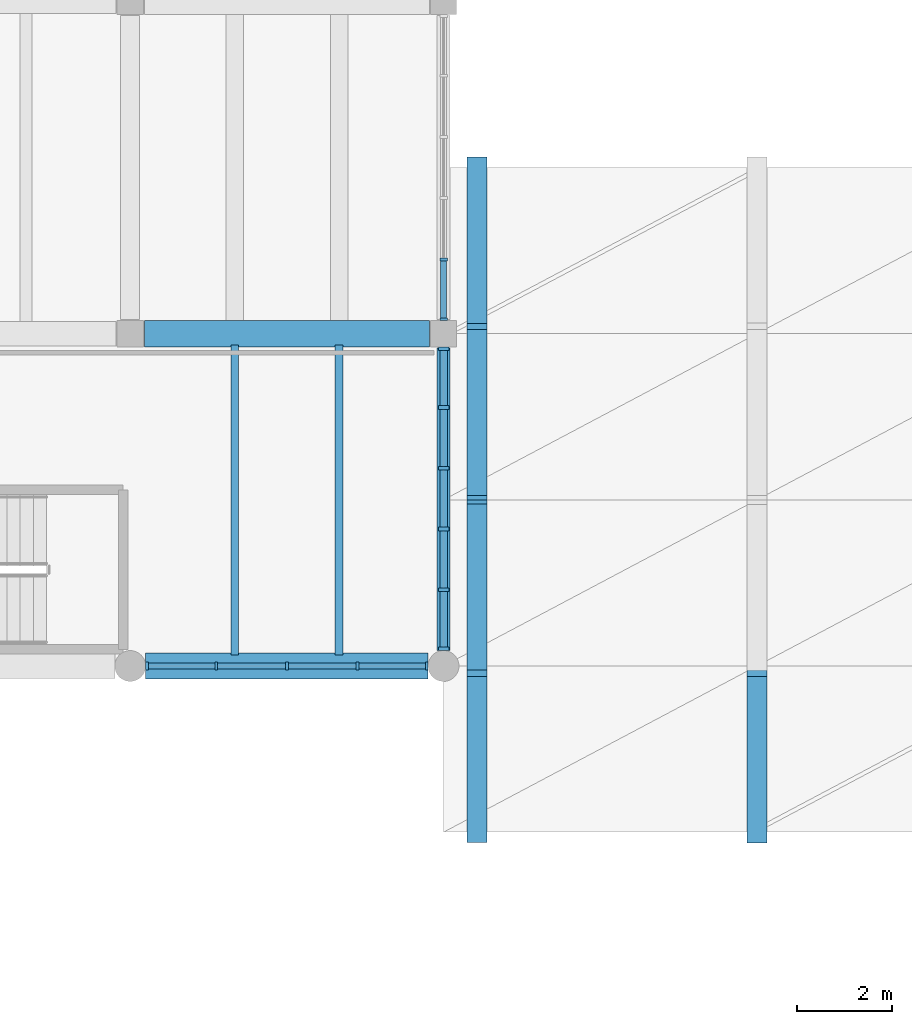
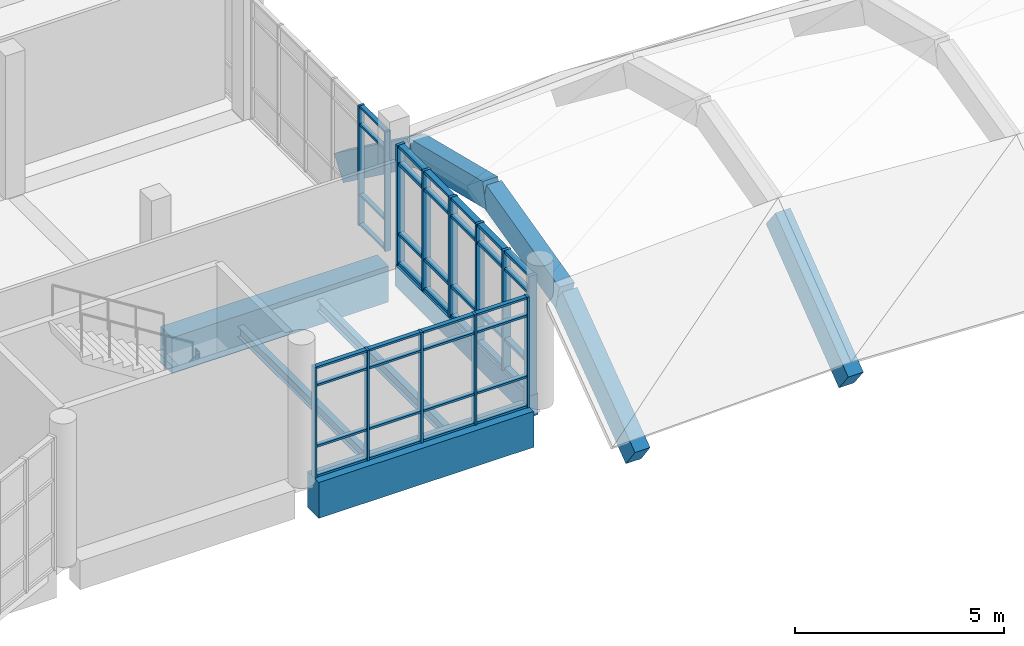
# One storey, part 13 of 65: 53 members, 10 beams, 3 elements without a shape of their own.
"""IFC4 building model written with IfcOpenShell, lengths in metres."""

import ifcopenshell
import ifcopenshell.guid

model = None  # the IFC model being written
_history = None  # IfcOwnerHistory: only IFC2X3 demands one
_inside = {}  # id of a spatial element -> (the spatial element, [elements in it])
_under = {}  # id of a project, library or spatial element -> (it, [spatial elements below it])
_declared = {}  # id of a project -> (the project, [libraries it declares])
_typed = {}  # id of a type object -> (the type object, [elements of that type])
_made_of = {}  # id of a material, layer set ... -> (it, [elements and type objects made of it])


def new_model(schema):
    """Start an empty IFC model of exactly this schema.

    Asked for "IFC4X3", IfcOpenShell would pick the latest addendum, in which some entities
    have other attributes; the version numbers below select the first issue.
    IFC2X3 requires an IfcOwnerHistory on every rooted entity: one is made here for all.
    """
    global model, _history
    if schema == "IFC4X3":
        model = ifcopenshell.file(schema_version=(4, 3, 0, 0))
    else:
        model = ifcopenshell.file(schema=schema)
    _inside.clear()
    _under.clear()
    _declared.clear()
    _typed.clear()
    _made_of.clear()
    _history = None
    if model.schema == "IFC2X3":
        org = make("IfcOrganization", Name="unknown")
        user = make(
            "IfcPersonAndOrganization",
            ThePerson=make("IfcPerson", FamilyName="unknown"),
            TheOrganization=org,
        )
        app = make(
            "IfcApplication",
            ApplicationDeveloper=org,
            Version="unknown",
            ApplicationFullName="unknown",
            ApplicationIdentifier="unknown",
        )
        _history = make(
            "IfcOwnerHistory",
            OwningUser=user,
            OwningApplication=app,
            ChangeAction="ADDED",
            CreationDate=0,
        )
    return model


def make(cls, **values):
    """One entity of the class cls with the attributes given. An attribute that is None is left unset."""
    return model.create_entity(
        cls, **{name: value for name, value in values.items() if value is not None}
    )


def rooted(cls, **values):
    """An entity with a GlobalId (a new one), such as an element, a storey or a relation."""
    return make(cls, GlobalId=ifcopenshell.guid.new(), OwnerHistory=_history, **values)


def si_unit(unit_type, name, prefix=None):
    """IfcSIUnit, for example si_unit("LENGTHUNIT", "METRE", prefix="MILLI")."""
    return make("IfcSIUnit", UnitType=unit_type, Prefix=prefix, Name=name)


def assignment(units):
    """IfcUnitAssignment: the units of a project."""
    return None if units is None else make("IfcUnitAssignment", Units=units)


def point(xyz):
    """IfcCartesianPoint."""
    return None if xyz is None else make("IfcCartesianPoint", Coordinates=xyz)


def direction(xyz):
    """IfcDirection."""
    return None if xyz is None else make("IfcDirection", DirectionRatios=xyz)


def frame(location, z_axis=None, x_axis=None):
    """IfcAxis2Placement3D, a coordinate frame: its origin and axes. An axis left out is left unset."""
    return make(
        "IfcAxis2Placement3D",
        Location=point(location),
        Axis=direction(z_axis),
        RefDirection=direction(x_axis),
    )


def frame_2d(location, x_axis=None):
    """IfcAxis2Placement2D, a coordinate frame in the plane: its origin and x axis."""
    return make(
        "IfcAxis2Placement2D", Location=point(location), RefDirection=direction(x_axis)
    )


def origin():
    """The frame at (0, 0, 0) with its axes left unset."""
    return frame((0.0, 0.0, 0.0))


def origin_2d():
    """The frame at (0, 0) in the plane with its x axis left unset."""
    return frame_2d((0.0, 0.0))


def place(relative_to, where):
    """IfcLocalPlacement: puts the frame where relative to a parent placement (None: the world)."""
    return make(
        "IfcLocalPlacement", PlacementRelTo=relative_to, RelativePlacement=where
    )


def context(
    kind, dimensions, precision=None, world=None, true_north=None, identifier=None
):
    """IfcGeometricRepresentationContext, for example the 3D "Model" context."""
    return make(
        "IfcGeometricRepresentationContext",
        ContextIdentifier=identifier,
        ContextType=kind,
        CoordinateSpaceDimension=dimensions,
        Precision=precision,
        WorldCoordinateSystem=world,
        TrueNorth=true_north,
    )


def subcontext(parent, identifier, kind, view, scale=None):
    """IfcGeometricRepresentationSubContext, for example "Body" below "Model"."""
    return make(
        "IfcGeometricRepresentationSubContext",
        ContextIdentifier=identifier,
        ContextType=kind,
        ParentContext=parent,
        TargetScale=scale,
        TargetView=view,
    )


def project(units=None, contexts=None):
    """IfcProject with its units and contexts."""
    return rooted(
        "IfcProject",
        Name="project",
        RepresentationContexts=contexts,
        UnitsInContext=assignment(units),
    )


def spatial(cls, under=None, at=None, **own):
    """A site, building, storey or space (cls), placed at a placement, below another one or the project."""
    s = rooted(cls, ObjectPlacement=at, **own)
    if under is not None:
        _under.setdefault(under.id(), (under, []))[1].append(s)
    return s


def profile(cls, at=None, kind="AREA", **sizes):
    """A parametric profile (cls). Its sizes go by their IFC names, for example OverallWidth=200.0."""
    return make(cls, ProfileType=kind, Position=at, **sizes)


def rectangle(**sizes):
    """IfcRectangleProfileDef."""
    return profile("IfcRectangleProfileDef", **sizes)


def i_section(**sizes):
    """IfcIShapeProfileDef."""
    return profile("IfcIShapeProfileDef", **sizes)


def extrude(swept, where, along, depth):
    """IfcExtrudedAreaSolid: the profile swept, set in the frame where, extruded along a direction by depth."""
    return make(
        "IfcExtrudedAreaSolid",
        SweptArea=swept,
        Position=where,
        ExtrudedDirection=direction(along),
        Depth=depth,
    )


def shape(context_of_items, identifier, shape_type, items):
    """IfcShapeRepresentation: the items that make up one representation, for example the "Body"."""
    return make(
        "IfcShapeRepresentation",
        ContextOfItems=context_of_items,
        RepresentationIdentifier=identifier,
        RepresentationType=shape_type,
        Items=items,
    )


def material(Name=None, Category=None):
    """IfcMaterial."""
    return make("IfcMaterial", Name=Name, Category=Category)


def material_profile(
    of_material, cross_section, Name=None, Category=None, Priority=None
):
    """IfcMaterialProfile: a cross section and its material."""
    return make(
        "IfcMaterialProfile",
        Name=Name,
        Material=of_material,
        Profile=cross_section,
        Priority=Priority,
        Category=Category,
    )


def profile_set(profiles, Name=None, composite=None):
    """IfcMaterialProfileSet."""
    return make(
        "IfcMaterialProfileSet",
        Name=Name,
        MaterialProfiles=profiles,
        CompositeProfile=composite,
    )


def made_of(thing, what):
    """Note that an element or type object is made of a material, layer set ...; save() writes the relation."""
    if what is not None:
        _made_of.setdefault(what.id(), (what, []))[1].append(thing)
    return thing


def type_object(cls, material=None, **own):
    """A type object (cls), such as IfcWallType, which elements share."""
    return made_of(rooted(cls, **own), material)


def element(
    cls,
    number,
    at=None,
    inside=None,
    cuts=None,
    type_object=None,
    material=None,
    context=None,
    identifier="Body",
    shape_type=None,
    held_by="IfcProductDefinitionShape",
    body=None,
    shapes=None,
    **own,
):
    """One element of the class cls, such as IfcWall. Its Tag is "e" and its number.

    at: its placement. inside: the storey or other place that contains it. cuts: it is an
    opening in that element (IfcRelVoidsElement). A single representation is given by context,
    identifier, shape_type and body (its items); several are given by shapes. held_by: the class
    of the entity that holds the representations. save() writes the other relations.
    """
    e = rooted(cls, Tag="e%d" % number, ObjectPlacement=at, **own)
    if body is not None:
        shapes = [shape(context, identifier, shape_type, body)]
    if shapes is not None:
        e.Representation = make(held_by, Representations=shapes)
    if inside is not None:
        _inside.setdefault(inside.id(), (inside, []))[1].append(e)
    if cuts is not None:
        rooted(
            "IfcRelVoidsElement", RelatingBuildingElement=cuts, RelatedOpeningElement=e
        )
    if type_object is not None:
        _typed.setdefault(type_object.id(), (type_object, []))[1].append(e)
    return made_of(e, material)


def aggregate(whole, parts):
    """IfcRelAggregates: a whole, such as a stair, and the parts it consists of."""
    return rooted("IfcRelAggregates", RelatingObject=whole, RelatedObjects=parts)


def save(model, path):
    """Write the relations noted so far, then the file.

    IfcRelAggregates (storeys below a building ...), IfcRelContainedInSpatialStructure (elements
    in a storey), IfcRelDefinesByType, IfcRelAssociatesMaterial and IfcRelDeclares: one each for
    every whole, place, type object, material and project.
    """
    for whole, parts in _under.values():
        aggregate(whole, parts)
    for where, things in _inside.values():
        rooted(
            "IfcRelContainedInSpatialStructure",
            RelatedElements=things,
            RelatingStructure=where,
        )
    for kind, things in _typed.values():
        rooted("IfcRelDefinesByType", RelatedObjects=things, RelatingType=kind)
    for what, things in _made_of.values():
        rooted("IfcRelAssociatesMaterial", RelatedObjects=things, RelatingMaterial=what)
    for by, libraries in _declared.values():
        rooted("IfcRelDeclares", RelatingContext=by, RelatedDefinitions=libraries)
    model.write(path)


model = new_model("IFC4")

# Units and contexts
model_context = context("Model", 3, precision=1e-05, world=origin(), true_north=direction((0.0, 1.0)))
body_context = subcontext(model_context, "Body", "Model", "MODEL_VIEW")
ifc_project = project(units=[si_unit("LENGTHUNIT", "METRE"), si_unit("AREAUNIT", "SQUARE_METRE"), si_unit("VOLUMEUNIT", "CUBIC_METRE"), si_unit("PLANEANGLEUNIT", "RADIAN"), si_unit("MASSUNIT", "GRAM", prefix="KILO")], contexts=[model_context])

# Site, building, storey
site_placement = place(None, origin())
site = spatial("IfcSite", under=ifc_project, at=site_placement, CompositionType="ELEMENT")
building_placement = place(site_placement, origin())
building = spatial("IfcBuilding", under=site, at=building_placement, Name="Ciguamira Faculty of Natural Sciences", CompositionType="ELEMENT")
storey_placement = place(building_placement, frame((0.0, 0.0, 12.60009765625)))
storey = spatial("IfcBuildingStorey", under=building, at=storey_placement, Name="L03", CompositionType="ELEMENT", Elevation=12.60009765625)

# Curtain wall, members
ifc_material_1 = material(Name="Anodized aluminium curtain wall", Category="aluminium")
curtain_wall_type_1 = type_object("IfcCurtainWallType", Name="CurtainWall_CW-10", PredefinedType="USERDEFINED", material=ifc_material_1)
curtain_wall_1_placement = place(storey_placement, origin())
curtain_wall_1 = element("IfcCurtainWall", 1, at=curtain_wall_1_placement, inside=storey, type_object=curtain_wall_type_1, Name="L03 unitised curtain wall 0082", ObjectType="UNITISED CURTAIN WALL", PredefinedType="USERDEFINED")
ifc_material_2 = material(Name="Anodized aluminium mullion", Category="aluminium")
ifc_material_profile_1 = material_profile(ifc_material_2, rectangle(XDim=0.06005859375, YDim=0.159912109375, at=origin_2d()), Name="ALU-MUL-60X160")
ifc_profile_set_1 = profile_set([ifc_material_profile_1], Name="Anodized aluminium mullion")
member_type_1 = type_object("IfcMemberType", Name="CWMullion_CWM-01", PredefinedType="MULLION", material=ifc_profile_set_1)
member_1_placement = place(storey_placement, frame((117.054931640625, 10.0, 0.0), z_axis=(0.0, 0.0, 1.0), x_axis=(1.0, 0.0, 0.0)))
member_1 = element("IfcMember", 2, at=member_1_placement, type_object=member_type_1, Name="CW-10 mullion 1", PredefinedType="MULLION", context=body_context, shape_type="SweptSolid", body=[
    extrude(rectangle(XDim=0.06005859375, YDim=0.159912109375, at=origin_2d()), origin(), (0.0, 0.0, 1.0), 3.23486328125),
])
member_2_placement = place(storey_placement, frame((118.512451171875, 10.0, 0.0), z_axis=(0.0, 0.0, 1.0), x_axis=(1.0, 0.0, 0.0)))
member_2 = element("IfcMember", 3, at=member_2_placement, type_object=member_type_1, Name="CW-10 mullion 2", PredefinedType="MULLION", context=body_context, shape_type="SweptSolid", body=[
    extrude(rectangle(XDim=0.06005859375, YDim=0.159912109375, at=origin_2d()), origin(), (0.0, 0.0, 1.0), 3.23486328125),
])
member_3_placement = place(storey_placement, frame((120.0, 10.0, 0.0), z_axis=(0.0, 0.0, 1.0), x_axis=(1.0, 0.0, 0.0)))
member_3 = element("IfcMember", 4, at=member_3_placement, type_object=member_type_1, Name="CW-10 mullion 3", PredefinedType="MULLION", context=body_context, shape_type="SweptSolid", body=[
    extrude(rectangle(XDim=0.06005859375, YDim=0.159912109375, at=origin_2d()), origin(), (0.0, 0.0, 1.0), 3.23486328125),
])
member_4_placement = place(storey_placement, frame((121.487548828125, 10.0, 0.0), z_axis=(0.0, 0.0, 1.0), x_axis=(1.0, 0.0, 0.0)))
member_4 = element("IfcMember", 5, at=member_4_placement, type_object=member_type_1, Name="CW-10 mullion 4", PredefinedType="MULLION", context=body_context, shape_type="SweptSolid", body=[
    extrude(rectangle(XDim=0.06005859375, YDim=0.159912109375, at=origin_2d()), origin(), (0.0, 0.0, 1.0), 3.23486328125),
])
member_5_placement = place(storey_placement, frame((122.945068359375, 10.0, 0.0), z_axis=(0.0, 0.0, 1.0), x_axis=(1.0, 0.0, 0.0)))
member_5 = element("IfcMember", 6, at=member_5_placement, type_object=member_type_1, Name="CW-10 mullion 5", PredefinedType="MULLION", context=body_context, shape_type="SweptSolid", body=[
    extrude(rectangle(XDim=0.06005859375, YDim=0.159912109375, at=origin_2d()), origin(), (0.0, 0.0, 1.0), 3.23486328125),
])

curtain_wall_type_2 = type_object("IfcCurtainWallType", Name="CurtainWall_CW-07", PredefinedType="USERDEFINED", material=ifc_material_1)
curtain_wall_2_placement = place(storey_placement, origin())
curtain_wall_2 = element("IfcCurtainWall", 7, at=curtain_wall_2_placement, inside=storey, type_object=curtain_wall_type_2, Name="L03 unitised curtain wall 0103", ObjectType="UNITISED CURTAIN WALL", PredefinedType="USERDEFINED")
member_6_placement = place(storey_placement, frame((123.300048828125, 17.304931640625, 0.0), z_axis=(0.0, 0.0, 1.0), x_axis=(0.0, 1.0, 0.0)))
member_6 = element("IfcMember", 8, at=member_6_placement, type_object=member_type_1, Name="CW-07 mullion 1", PredefinedType="MULLION", context=body_context, shape_type="SweptSolid", body=[
    extrude(rectangle(XDim=0.06005859375, YDim=0.159912109375, at=origin_2d()), origin(), (0.0, 0.0, 1.0), 3.5048828125),
])
member_7_placement = place(storey_placement, frame((123.300048828125, 18.56494140625, 0.0), z_axis=(0.0, 0.0, 1.0), x_axis=(0.0, 1.0, 0.0)))
member_7 = element("IfcMember", 9, at=member_7_placement, type_object=member_type_1, Name="CW-07 mullion 2", PredefinedType="MULLION", context=body_context, shape_type="SweptSolid", body=[
    extrude(rectangle(XDim=0.06005859375, YDim=0.159912109375, at=origin_2d()), origin(), (0.0, 0.0, 1.0), 3.5048828125),
])

curtain_wall_type_3 = type_object("IfcCurtainWallType", Name="CurtainWall_CW-06", PredefinedType="USERDEFINED", material=ifc_material_1)
curtain_wall_3_placement = place(storey_placement, origin())
curtain_wall_3 = element("IfcCurtainWall", 10, at=curtain_wall_3_placement, inside=storey, type_object=curtain_wall_type_3, Name="L03 unitised curtain wall 0102", ObjectType="UNITISED CURTAIN WALL", PredefinedType="USERDEFINED")
ifc_material_profile_2 = material_profile(ifc_material_2, rectangle(XDim=0.080078125, YDim=0.219970703125, at=origin_2d()), Name="ALU-MUL-80X220")
ifc_profile_set_2 = profile_set([ifc_material_profile_2], Name="Anodized aluminium mullion")
member_type_2 = type_object("IfcMemberType", Name="CWMullion_CWM-03", PredefinedType="MULLION", material=ifc_profile_set_2)
member_8_placement = place(storey_placement, frame((123.300048828125, 10.364990234375, 0.0), z_axis=(0.0, 0.0, 1.0), x_axis=(0.0, 1.0, 0.0)))
member_8 = element("IfcMember", 11, at=member_8_placement, type_object=member_type_2, Name="CW-06 mullion 1", PredefinedType="MULLION", context=body_context, shape_type="SweptSolid", body=[
    extrude(rectangle(XDim=0.080078125, YDim=0.219970703125, at=origin_2d()), origin(), (0.0, 0.0, 1.0), 3.5048828125),
])
member_9_placement = place(storey_placement, frame((123.300048828125, 11.60498046875, 0.0), z_axis=(0.0, 0.0, 1.0), x_axis=(0.0, 1.0, 0.0)))
member_9 = element("IfcMember", 12, at=member_9_placement, type_object=member_type_2, Name="CW-06 mullion 2", PredefinedType="MULLION", context=body_context, shape_type="SweptSolid", body=[
    extrude(rectangle(XDim=0.080078125, YDim=0.219970703125, at=origin_2d()), origin(), (0.0, 0.0, 1.0), 3.5048828125),
])
member_10_placement = place(storey_placement, frame((123.300048828125, 12.885009765625, 0.0), z_axis=(0.0, 0.0, 1.0), x_axis=(0.0, 1.0, 0.0)))
member_10 = element("IfcMember", 13, at=member_10_placement, type_object=member_type_2, Name="CW-06 mullion 3", PredefinedType="MULLION", context=body_context, shape_type="SweptSolid", body=[
    extrude(rectangle(XDim=0.080078125, YDim=0.219970703125, at=origin_2d()), origin(), (0.0, 0.0, 1.0), 3.5048828125),
])
member_11_placement = place(storey_placement, frame((123.300048828125, 14.1650390625, 0.0), z_axis=(0.0, 0.0, 1.0), x_axis=(0.0, 1.0, 0.0)))
member_11 = element("IfcMember", 14, at=member_11_placement, type_object=member_type_2, Name="CW-06 mullion 4", PredefinedType="MULLION", context=body_context, shape_type="SweptSolid", body=[
    extrude(rectangle(XDim=0.080078125, YDim=0.219970703125, at=origin_2d()), origin(), (0.0, 0.0, 1.0), 3.5048828125),
])
member_12_placement = place(storey_placement, frame((123.300048828125, 15.445068359375, 0.0), z_axis=(0.0, 0.0, 1.0), x_axis=(0.0, 1.0, 0.0)))
member_12 = element("IfcMember", 15, at=member_12_placement, type_object=member_type_2, Name="CW-06 mullion 5", PredefinedType="MULLION", context=body_context, shape_type="SweptSolid", body=[
    extrude(rectangle(XDim=0.080078125, YDim=0.219970703125, at=origin_2d()), origin(), (0.0, 0.0, 1.0), 3.5048828125),
])
member_13_placement = place(storey_placement, frame((123.300048828125, 16.68505859375, 0.0), z_axis=(0.0, 0.0, 1.0), x_axis=(0.0, 1.0, 0.0)))
member_13 = element("IfcMember", 16, at=member_13_placement, type_object=member_type_2, Name="CW-06 mullion 6", PredefinedType="MULLION", context=body_context, shape_type="SweptSolid", body=[
    extrude(rectangle(XDim=0.080078125, YDim=0.219970703125, at=origin_2d()), origin(), (0.0, 0.0, 1.0), 3.5048828125),
])

# Member
ifc_material_3 = material(Name="Anodized aluminium transom", Category="aluminium")
ifc_material_profile_3 = material_profile(ifc_material_3, rectangle(XDim=0.06005859375, YDim=0.1201171875, at=origin_2d()), Name="ALU-TRN-60X120")
ifc_profile_set_3 = profile_set([ifc_material_profile_3], Name="Anodized aluminium transom")
member_type_3 = type_object("IfcMemberType", Name="CWTransom_CWT-01", PredefinedType="USERDEFINED", material=ifc_profile_set_3)
member_14_placement = place(storey_placement, frame((117.0849609375, 10.0, 0.02978515625), z_axis=(1.0, 0.0, 0.0), x_axis=(0.0, 0.0, 1.0)))
member_14 = element("IfcMember", 17, at=member_14_placement, type_object=member_type_3, Name="CW-10 transom 1.1", ObjectType="TRANSOM", PredefinedType="USERDEFINED", context=body_context, shape_type="SweptSolid", body=[
    extrude(rectangle(XDim=0.06005859375, YDim=0.1201171875, at=origin_2d()), origin(), (0.0, 0.0, 1.0), 1.3974609375),
])

member_15_placement = place(storey_placement, frame((117.0849609375, 10.0, 0.89990234375), z_axis=(1.0, 0.0, 0.0), x_axis=(0.0, 0.0, 1.0)))
member_15 = element("IfcMember", 18, at=member_15_placement, type_object=member_type_3, Name="CW-10 transom 1.2", ObjectType="TRANSOM", PredefinedType="USERDEFINED", context=body_context, shape_type="SweptSolid", body=[
    extrude(rectangle(XDim=0.06005859375, YDim=0.1201171875, at=origin_2d()), origin(), (0.0, 0.0, 1.0), 1.3974609375),
])

member_16_placement = place(storey_placement, frame((117.0849609375, 10.0, 2.684814453125), z_axis=(1.0, 0.0, 0.0), x_axis=(0.0, 0.0, 1.0)))
member_16 = element("IfcMember", 19, at=member_16_placement, type_object=member_type_3, Name="CW-10 transom 1.3", ObjectType="TRANSOM", PredefinedType="USERDEFINED", context=body_context, shape_type="SweptSolid", body=[
    extrude(rectangle(XDim=0.06005859375, YDim=0.1201171875, at=origin_2d()), origin(), (0.0, 0.0, 1.0), 1.3974609375),
])

member_17_placement = place(storey_placement, frame((117.0849609375, 10.0, 3.204833984375), z_axis=(1.0, 0.0, 0.0), x_axis=(0.0, 0.0, 1.0)))
member_17 = element("IfcMember", 20, at=member_17_placement, type_object=member_type_3, Name="CW-10 transom 1.4", ObjectType="TRANSOM", PredefinedType="USERDEFINED", context=body_context, shape_type="SweptSolid", body=[
    extrude(rectangle(XDim=0.06005859375, YDim=0.1201171875, at=origin_2d()), origin(), (0.0, 0.0, 1.0), 1.3974609375),
])

member_18_placement = place(storey_placement, frame((118.54248046875, 10.0, 0.02978515625), z_axis=(1.0, 0.0, 0.0), x_axis=(0.0, 0.0, 1.0)))
member_18 = element("IfcMember", 21, at=member_18_placement, type_object=member_type_3, Name="CW-10 transom 2.1", ObjectType="TRANSOM", PredefinedType="USERDEFINED", context=body_context, shape_type="SweptSolid", body=[
    extrude(rectangle(XDim=0.06005859375, YDim=0.1201171875, at=origin_2d()), origin(), (0.0, 0.0, 1.0), 1.427490234375),
])

member_19_placement = place(storey_placement, frame((118.54248046875, 10.0, 0.89990234375), z_axis=(1.0, 0.0, 0.0), x_axis=(0.0, 0.0, 1.0)))
member_19 = element("IfcMember", 22, at=member_19_placement, type_object=member_type_3, Name="CW-10 transom 2.2", ObjectType="TRANSOM", PredefinedType="USERDEFINED", context=body_context, shape_type="SweptSolid", body=[
    extrude(rectangle(XDim=0.06005859375, YDim=0.1201171875, at=origin_2d()), origin(), (0.0, 0.0, 1.0), 1.427490234375),
])

member_20_placement = place(storey_placement, frame((118.54248046875, 10.0, 2.684814453125), z_axis=(1.0, 0.0, 0.0), x_axis=(0.0, 0.0, 1.0)))
member_20 = element("IfcMember", 23, at=member_20_placement, type_object=member_type_3, Name="CW-10 transom 2.3", ObjectType="TRANSOM", PredefinedType="USERDEFINED", context=body_context, shape_type="SweptSolid", body=[
    extrude(rectangle(XDim=0.06005859375, YDim=0.1201171875, at=origin_2d()), origin(), (0.0, 0.0, 1.0), 1.427490234375),
])

member_21_placement = place(storey_placement, frame((118.54248046875, 10.0, 3.204833984375), z_axis=(1.0, 0.0, 0.0), x_axis=(0.0, 0.0, 1.0)))
member_21 = element("IfcMember", 24, at=member_21_placement, type_object=member_type_3, Name="CW-10 transom 2.4", ObjectType="TRANSOM", PredefinedType="USERDEFINED", context=body_context, shape_type="SweptSolid", body=[
    extrude(rectangle(XDim=0.06005859375, YDim=0.1201171875, at=origin_2d()), origin(), (0.0, 0.0, 1.0), 1.427490234375),
])

member_22_placement = place(storey_placement, frame((120.030029296875, 10.0, 0.02978515625), z_axis=(1.0, 0.0, 0.0), x_axis=(0.0, 0.0, 1.0)))
member_22 = element("IfcMember", 25, at=member_22_placement, type_object=member_type_3, Name="CW-10 transom 3.1", ObjectType="TRANSOM", PredefinedType="USERDEFINED", context=body_context, shape_type="SweptSolid", body=[
    extrude(rectangle(XDim=0.06005859375, YDim=0.1201171875, at=origin_2d()), origin(), (0.0, 0.0, 1.0), 1.427490234375),
])

member_23_placement = place(storey_placement, frame((120.030029296875, 10.0, 0.89990234375), z_axis=(1.0, 0.0, 0.0), x_axis=(0.0, 0.0, 1.0)))
member_23 = element("IfcMember", 26, at=member_23_placement, type_object=member_type_3, Name="CW-10 transom 3.2", ObjectType="TRANSOM", PredefinedType="USERDEFINED", context=body_context, shape_type="SweptSolid", body=[
    extrude(rectangle(XDim=0.06005859375, YDim=0.1201171875, at=origin_2d()), origin(), (0.0, 0.0, 1.0), 1.427490234375),
])

member_24_placement = place(storey_placement, frame((120.030029296875, 10.0, 2.684814453125), z_axis=(1.0, 0.0, 0.0), x_axis=(0.0, 0.0, 1.0)))
member_24 = element("IfcMember", 27, at=member_24_placement, type_object=member_type_3, Name="CW-10 transom 3.3", ObjectType="TRANSOM", PredefinedType="USERDEFINED", context=body_context, shape_type="SweptSolid", body=[
    extrude(rectangle(XDim=0.06005859375, YDim=0.1201171875, at=origin_2d()), origin(), (0.0, 0.0, 1.0), 1.427490234375),
])

member_25_placement = place(storey_placement, frame((120.030029296875, 10.0, 3.204833984375), z_axis=(1.0, 0.0, 0.0), x_axis=(0.0, 0.0, 1.0)))
member_25 = element("IfcMember", 28, at=member_25_placement, type_object=member_type_3, Name="CW-10 transom 3.4", ObjectType="TRANSOM", PredefinedType="USERDEFINED", context=body_context, shape_type="SweptSolid", body=[
    extrude(rectangle(XDim=0.06005859375, YDim=0.1201171875, at=origin_2d()), origin(), (0.0, 0.0, 1.0), 1.427490234375),
])

member_26_placement = place(storey_placement, frame((121.517578125, 10.0, 0.02978515625), z_axis=(1.0, 0.0, 0.0), x_axis=(0.0, 0.0, 1.0)))
member_26 = element("IfcMember", 29, at=member_26_placement, type_object=member_type_3, Name="CW-10 transom 4.1", ObjectType="TRANSOM", PredefinedType="USERDEFINED", context=body_context, shape_type="SweptSolid", body=[
    extrude(rectangle(XDim=0.06005859375, YDim=0.1201171875, at=origin_2d()), origin(), (0.0, 0.0, 1.0), 1.3974609375),
])

member_27_placement = place(storey_placement, frame((121.517578125, 10.0, 0.89990234375), z_axis=(1.0, 0.0, 0.0), x_axis=(0.0, 0.0, 1.0)))
member_27 = element("IfcMember", 30, at=member_27_placement, type_object=member_type_3, Name="CW-10 transom 4.2", ObjectType="TRANSOM", PredefinedType="USERDEFINED", context=body_context, shape_type="SweptSolid", body=[
    extrude(rectangle(XDim=0.06005859375, YDim=0.1201171875, at=origin_2d()), origin(), (0.0, 0.0, 1.0), 1.3974609375),
])

member_28_placement = place(storey_placement, frame((121.517578125, 10.0, 2.684814453125), z_axis=(1.0, 0.0, 0.0), x_axis=(0.0, 0.0, 1.0)))
member_28 = element("IfcMember", 31, at=member_28_placement, type_object=member_type_3, Name="CW-10 transom 4.3", ObjectType="TRANSOM", PredefinedType="USERDEFINED", context=body_context, shape_type="SweptSolid", body=[
    extrude(rectangle(XDim=0.06005859375, YDim=0.1201171875, at=origin_2d()), origin(), (0.0, 0.0, 1.0), 1.3974609375),
])

member_29_placement = place(storey_placement, frame((121.517578125, 10.0, 3.204833984375), z_axis=(1.0, 0.0, 0.0), x_axis=(0.0, 0.0, 1.0)))
member_29 = element("IfcMember", 32, at=member_29_placement, type_object=member_type_3, Name="CW-10 transom 4.4", ObjectType="TRANSOM", PredefinedType="USERDEFINED", context=body_context, shape_type="SweptSolid", body=[
    extrude(rectangle(XDim=0.06005859375, YDim=0.1201171875, at=origin_2d()), origin(), (0.0, 0.0, 1.0), 1.3974609375),
])

aggregate(curtain_wall_1, [member_1, member_2, member_3, member_4, member_5, member_14, member_15, member_16, member_17, member_18, member_19, member_20, member_21, member_22, member_23, member_24, member_25, member_26, member_27, member_28, member_29])

member_30_placement = place(storey_placement, frame((123.300048828125, 17.3349609375, 0.02978515625), z_axis=(0.0, 1.0, 0.0), x_axis=(0.0, 0.0, 1.0)))
member_30 = element("IfcMember", 33, at=member_30_placement, type_object=member_type_3, Name="CW-07 transom 1.1", ObjectType="TRANSOM", PredefinedType="USERDEFINED", context=body_context, shape_type="SweptSolid", body=[
    extrude(rectangle(XDim=0.06005859375, YDim=0.1201171875, at=origin_2d()), origin(), (0.0, 0.0, 1.0), 1.199951171875),
])

member_31_placement = place(storey_placement, frame((123.300048828125, 17.3349609375, 0.89990234375), z_axis=(0.0, 1.0, 0.0), x_axis=(0.0, 0.0, 1.0)))
member_31 = element("IfcMember", 34, at=member_31_placement, type_object=member_type_3, Name="CW-07 transom 1.2", ObjectType="TRANSOM", PredefinedType="USERDEFINED", context=body_context, shape_type="SweptSolid", body=[
    extrude(rectangle(XDim=0.06005859375, YDim=0.1201171875, at=origin_2d()), origin(), (0.0, 0.0, 1.0), 1.199951171875),
])

member_32_placement = place(storey_placement, frame((123.300048828125, 17.3349609375, 2.954833984375), z_axis=(0.0, 1.0, 0.0), x_axis=(0.0, 0.0, 1.0)))
member_32 = element("IfcMember", 35, at=member_32_placement, type_object=member_type_3, Name="CW-07 transom 1.3", ObjectType="TRANSOM", PredefinedType="USERDEFINED", context=body_context, shape_type="SweptSolid", body=[
    extrude(rectangle(XDim=0.06005859375, YDim=0.1201171875, at=origin_2d()), origin(), (0.0, 0.0, 1.0), 1.199951171875),
])

member_33_placement = place(storey_placement, frame((123.300048828125, 17.3349609375, 3.474853515625), z_axis=(0.0, 1.0, 0.0), x_axis=(0.0, 0.0, 1.0)))
member_33 = element("IfcMember", 36, at=member_33_placement, type_object=member_type_3, Name="CW-07 transom 1.4", ObjectType="TRANSOM", PredefinedType="USERDEFINED", context=body_context, shape_type="SweptSolid", body=[
    extrude(rectangle(XDim=0.06005859375, YDim=0.1201171875, at=origin_2d()), origin(), (0.0, 0.0, 1.0), 1.199951171875),
])

aggregate(curtain_wall_2, [member_6, member_7, member_30, member_31, member_32, member_33])

ifc_material_profile_4 = material_profile(ifc_material_3, rectangle(XDim=0.080078125, YDim=0.159912109375, at=origin_2d()), Name="ALU-TRN-80X160")
ifc_profile_set_4 = profile_set([ifc_material_profile_4], Name="Anodized aluminium transom")
member_type_4 = type_object("IfcMemberType", Name="CWTransom_CWT-03", PredefinedType="USERDEFINED", material=ifc_profile_set_4)
member_34_placement = place(storey_placement, frame((123.300048828125, 10.405029296875, 0.039794921875), z_axis=(0.0, 1.0, 0.0), x_axis=(0.0, 0.0, 1.0)))
member_34 = element("IfcMember", 37, at=member_34_placement, type_object=member_type_4, Name="CW-06 transom 1.1", ObjectType="TRANSOM", PredefinedType="USERDEFINED", context=body_context, shape_type="SweptSolid", body=[
    extrude(rectangle(XDim=0.080078125, YDim=0.159912109375, at=origin_2d()), origin(), (0.0, 0.0, 1.0), 1.159912109375),
])

member_35_placement = place(storey_placement, frame((123.300048828125, 10.405029296875, 0.89990234375), z_axis=(0.0, 1.0, 0.0), x_axis=(0.0, 0.0, 1.0)))
member_35 = element("IfcMember", 38, at=member_35_placement, type_object=member_type_4, Name="CW-06 transom 1.2", ObjectType="TRANSOM", PredefinedType="USERDEFINED", context=body_context, shape_type="SweptSolid", body=[
    extrude(rectangle(XDim=0.080078125, YDim=0.159912109375, at=origin_2d()), origin(), (0.0, 0.0, 1.0), 1.159912109375),
])

member_36_placement = place(storey_placement, frame((123.300048828125, 10.405029296875, 2.954833984375), z_axis=(0.0, 1.0, 0.0), x_axis=(0.0, 0.0, 1.0)))
member_36 = element("IfcMember", 39, at=member_36_placement, type_object=member_type_4, Name="CW-06 transom 1.3", ObjectType="TRANSOM", PredefinedType="USERDEFINED", context=body_context, shape_type="SweptSolid", body=[
    extrude(rectangle(XDim=0.080078125, YDim=0.159912109375, at=origin_2d()), origin(), (0.0, 0.0, 1.0), 1.159912109375),
])

member_37_placement = place(storey_placement, frame((123.300048828125, 10.405029296875, 3.46484375), z_axis=(0.0, 1.0, 0.0), x_axis=(0.0, 0.0, 1.0)))
member_37 = element("IfcMember", 40, at=member_37_placement, type_object=member_type_4, Name="CW-06 transom 1.4", ObjectType="TRANSOM", PredefinedType="USERDEFINED", context=body_context, shape_type="SweptSolid", body=[
    extrude(rectangle(XDim=0.080078125, YDim=0.159912109375, at=origin_2d()), origin(), (0.0, 0.0, 1.0), 1.159912109375),
])

member_38_placement = place(storey_placement, frame((123.300048828125, 11.64501953125, 0.039794921875), z_axis=(0.0, 1.0, 0.0), x_axis=(0.0, 0.0, 1.0)))
member_38 = element("IfcMember", 41, at=member_38_placement, type_object=member_type_4, Name="CW-06 transom 2.1", ObjectType="TRANSOM", PredefinedType="USERDEFINED", context=body_context, shape_type="SweptSolid", body=[
    extrude(rectangle(XDim=0.080078125, YDim=0.159912109375, at=origin_2d()), origin(), (0.0, 0.0, 1.0), 1.199951171875),
])

member_39_placement = place(storey_placement, frame((123.300048828125, 11.64501953125, 0.89990234375), z_axis=(0.0, 1.0, 0.0), x_axis=(0.0, 0.0, 1.0)))
member_39 = element("IfcMember", 42, at=member_39_placement, type_object=member_type_4, Name="CW-06 transom 2.2", ObjectType="TRANSOM", PredefinedType="USERDEFINED", context=body_context, shape_type="SweptSolid", body=[
    extrude(rectangle(XDim=0.080078125, YDim=0.159912109375, at=origin_2d()), origin(), (0.0, 0.0, 1.0), 1.199951171875),
])

member_40_placement = place(storey_placement, frame((123.300048828125, 11.64501953125, 2.954833984375), z_axis=(0.0, 1.0, 0.0), x_axis=(0.0, 0.0, 1.0)))
member_40 = element("IfcMember", 43, at=member_40_placement, type_object=member_type_4, Name="CW-06 transom 2.3", ObjectType="TRANSOM", PredefinedType="USERDEFINED", context=body_context, shape_type="SweptSolid", body=[
    extrude(rectangle(XDim=0.080078125, YDim=0.159912109375, at=origin_2d()), origin(), (0.0, 0.0, 1.0), 1.199951171875),
])

member_41_placement = place(storey_placement, frame((123.300048828125, 11.64501953125, 3.46484375), z_axis=(0.0, 1.0, 0.0), x_axis=(0.0, 0.0, 1.0)))
member_41 = element("IfcMember", 44, at=member_41_placement, type_object=member_type_4, Name="CW-06 transom 2.4", ObjectType="TRANSOM", PredefinedType="USERDEFINED", context=body_context, shape_type="SweptSolid", body=[
    extrude(rectangle(XDim=0.080078125, YDim=0.159912109375, at=origin_2d()), origin(), (0.0, 0.0, 1.0), 1.199951171875),
])

member_42_placement = place(storey_placement, frame((123.300048828125, 12.925048828125, 0.039794921875), z_axis=(0.0, 1.0, 0.0), x_axis=(0.0, 0.0, 1.0)))
member_42 = element("IfcMember", 45, at=member_42_placement, type_object=member_type_4, Name="CW-06 transom 3.1", ObjectType="TRANSOM", PredefinedType="USERDEFINED", context=body_context, shape_type="SweptSolid", body=[
    extrude(rectangle(XDim=0.080078125, YDim=0.159912109375, at=origin_2d()), origin(), (0.0, 0.0, 1.0), 1.199951171875),
])

member_43_placement = place(storey_placement, frame((123.300048828125, 12.925048828125, 0.89990234375), z_axis=(0.0, 1.0, 0.0), x_axis=(0.0, 0.0, 1.0)))
member_43 = element("IfcMember", 46, at=member_43_placement, type_object=member_type_4, Name="CW-06 transom 3.2", ObjectType="TRANSOM", PredefinedType="USERDEFINED", context=body_context, shape_type="SweptSolid", body=[
    extrude(rectangle(XDim=0.080078125, YDim=0.159912109375, at=origin_2d()), origin(), (0.0, 0.0, 1.0), 1.199951171875),
])

member_44_placement = place(storey_placement, frame((123.300048828125, 12.925048828125, 2.954833984375), z_axis=(0.0, 1.0, 0.0), x_axis=(0.0, 0.0, 1.0)))
member_44 = element("IfcMember", 47, at=member_44_placement, type_object=member_type_4, Name="CW-06 transom 3.3", ObjectType="TRANSOM", PredefinedType="USERDEFINED", context=body_context, shape_type="SweptSolid", body=[
    extrude(rectangle(XDim=0.080078125, YDim=0.159912109375, at=origin_2d()), origin(), (0.0, 0.0, 1.0), 1.199951171875),
])

member_45_placement = place(storey_placement, frame((123.300048828125, 12.925048828125, 3.46484375), z_axis=(0.0, 1.0, 0.0), x_axis=(0.0, 0.0, 1.0)))
member_45 = element("IfcMember", 48, at=member_45_placement, type_object=member_type_4, Name="CW-06 transom 3.4", ObjectType="TRANSOM", PredefinedType="USERDEFINED", context=body_context, shape_type="SweptSolid", body=[
    extrude(rectangle(XDim=0.080078125, YDim=0.159912109375, at=origin_2d()), origin(), (0.0, 0.0, 1.0), 1.199951171875),
])

member_46_placement = place(storey_placement, frame((123.300048828125, 14.205078125, 0.039794921875), z_axis=(0.0, 1.0, 0.0), x_axis=(0.0, 0.0, 1.0)))
member_46 = element("IfcMember", 49, at=member_46_placement, type_object=member_type_4, Name="CW-06 transom 4.1", ObjectType="TRANSOM", PredefinedType="USERDEFINED", context=body_context, shape_type="SweptSolid", body=[
    extrude(rectangle(XDim=0.080078125, YDim=0.159912109375, at=origin_2d()), origin(), (0.0, 0.0, 1.0), 1.199951171875),
])

member_47_placement = place(storey_placement, frame((123.300048828125, 14.205078125, 0.89990234375), z_axis=(0.0, 1.0, 0.0), x_axis=(0.0, 0.0, 1.0)))
member_47 = element("IfcMember", 50, at=member_47_placement, type_object=member_type_4, Name="CW-06 transom 4.2", ObjectType="TRANSOM", PredefinedType="USERDEFINED", context=body_context, shape_type="SweptSolid", body=[
    extrude(rectangle(XDim=0.080078125, YDim=0.159912109375, at=origin_2d()), origin(), (0.0, 0.0, 1.0), 1.199951171875),
])

member_48_placement = place(storey_placement, frame((123.300048828125, 14.205078125, 2.954833984375), z_axis=(0.0, 1.0, 0.0), x_axis=(0.0, 0.0, 1.0)))
member_48 = element("IfcMember", 51, at=member_48_placement, type_object=member_type_4, Name="CW-06 transom 4.3", ObjectType="TRANSOM", PredefinedType="USERDEFINED", context=body_context, shape_type="SweptSolid", body=[
    extrude(rectangle(XDim=0.080078125, YDim=0.159912109375, at=origin_2d()), origin(), (0.0, 0.0, 1.0), 1.199951171875),
])

member_49_placement = place(storey_placement, frame((123.300048828125, 14.205078125, 3.46484375), z_axis=(0.0, 1.0, 0.0), x_axis=(0.0, 0.0, 1.0)))
member_49 = element("IfcMember", 52, at=member_49_placement, type_object=member_type_4, Name="CW-06 transom 4.4", ObjectType="TRANSOM", PredefinedType="USERDEFINED", context=body_context, shape_type="SweptSolid", body=[
    extrude(rectangle(XDim=0.080078125, YDim=0.159912109375, at=origin_2d()), origin(), (0.0, 0.0, 1.0), 1.199951171875),
])

member_50_placement = place(storey_placement, frame((123.300048828125, 15.485107421875, 0.039794921875), z_axis=(0.0, 1.0, 0.0), x_axis=(0.0, 0.0, 1.0)))
member_50 = element("IfcMember", 53, at=member_50_placement, type_object=member_type_4, Name="CW-06 transom 5.1", ObjectType="TRANSOM", PredefinedType="USERDEFINED", context=body_context, shape_type="SweptSolid", body=[
    extrude(rectangle(XDim=0.080078125, YDim=0.159912109375, at=origin_2d()), origin(), (0.0, 0.0, 1.0), 1.159912109375),
])

member_51_placement = place(storey_placement, frame((123.300048828125, 15.485107421875, 0.89990234375), z_axis=(0.0, 1.0, 0.0), x_axis=(0.0, 0.0, 1.0)))
member_51 = element("IfcMember", 54, at=member_51_placement, type_object=member_type_4, Name="CW-06 transom 5.2", ObjectType="TRANSOM", PredefinedType="USERDEFINED", context=body_context, shape_type="SweptSolid", body=[
    extrude(rectangle(XDim=0.080078125, YDim=0.159912109375, at=origin_2d()), origin(), (0.0, 0.0, 1.0), 1.159912109375),
])

member_52_placement = place(storey_placement, frame((123.300048828125, 15.485107421875, 2.954833984375), z_axis=(0.0, 1.0, 0.0), x_axis=(0.0, 0.0, 1.0)))
member_52 = element("IfcMember", 55, at=member_52_placement, type_object=member_type_4, Name="CW-06 transom 5.3", ObjectType="TRANSOM", PredefinedType="USERDEFINED", context=body_context, shape_type="SweptSolid", body=[
    extrude(rectangle(XDim=0.080078125, YDim=0.159912109375, at=origin_2d()), origin(), (0.0, 0.0, 1.0), 1.159912109375),
])

member_53_placement = place(storey_placement, frame((123.300048828125, 15.485107421875, 3.46484375), z_axis=(0.0, 1.0, 0.0), x_axis=(0.0, 0.0, 1.0)))
member_53 = element("IfcMember", 56, at=member_53_placement, type_object=member_type_4, Name="CW-06 transom 5.4", ObjectType="TRANSOM", PredefinedType="USERDEFINED", context=body_context, shape_type="SweptSolid", body=[
    extrude(rectangle(XDim=0.080078125, YDim=0.159912109375, at=origin_2d()), origin(), (0.0, 0.0, 1.0), 1.159912109375),
])

aggregate(curtain_wall_3, [member_8, member_9, member_10, member_11, member_12, member_13, member_34, member_35, member_36, member_37, member_38, member_39, member_40, member_41, member_42, member_43, member_44, member_45, member_46, member_47, member_48, member_49, member_50, member_51, member_52, member_53])

# Beams
ifc_material_4 = material(Name="Concrete C40/50", Category="concrete")
ifc_material_profile_5 = material_profile(ifc_material_4, rectangle(XDim=0.550048828125, YDim=1.050048828125, at=origin_2d()), Name="RC-BM-550X1050")
ifc_profile_set_5 = profile_set([ifc_material_profile_5], Name="Concrete C40/50")
beam_type_1 = type_object("IfcBeamType", Name="RCBeam_BG-01_RC-BM-550X1050", PredefinedType="BEAM", material=ifc_profile_set_5)
beam_1_placement = place(storey_placement, frame((117.02490234375, 10.0, -0.525146484375), z_axis=(1.0, 0.0, 0.0), x_axis=(0.0, 1.0, 0.0)))
element("IfcBeam", 57, at=beam_1_placement, inside=storey, type_object=beam_type_1, Name="L03 RC girder EW-1037", PredefinedType="BEAM", context=body_context, shape_type="SweptSolid", body=[
    extrude(rectangle(XDim=0.550048828125, YDim=1.050048828125, at=origin_2d()), origin(), (0.0, 0.0, 1.0), 5.9501953125),
])
beam_2_placement = place(storey_placement, frame((117.0, 17.0, -0.525146484375), z_axis=(1.0, 0.0, 0.0), x_axis=(0.0, 1.0, 0.0)))
element("IfcBeam", 58, at=beam_2_placement, inside=storey, type_object=beam_type_1, Name="L03 RC girder EW-1055", PredefinedType="BEAM", context=body_context, shape_type="SweptSolid", body=[
    extrude(rectangle(XDim=0.550048828125, YDim=1.050048828125, at=origin_2d()), origin(), (0.0, 0.0, 1.0), 6.0),
])
ifc_material_profile_6 = material_profile(ifc_material_4, rectangle(XDim=0.419921875, YDim=0.739990234375, at=origin_2d()), Name="RC-BM-420X740")
ifc_profile_set_6 = profile_set([ifc_material_profile_6], Name="Concrete C40/50")
beam_type_2 = type_object("IfcBeamType", Name="RCBeam_BG-07_RC-BM-420X740", PredefinedType="BEAM", material=ifc_profile_set_6)
beam_3_placement = place(storey_placement, frame((124.0, 6.5, 0.300537109375), z_axis=(0.0, 0.805736209248, 0.592274565643), x_axis=(-1.0, 0.0, 0.0)))
element("IfcBeam", 59, at=beam_3_placement, inside=storey, type_object=beam_type_2, Name="V1 shell RC arch rib 01-02", PredefinedType="BEAM", context=body_context, shape_type="SweptSolid", body=[
    extrude(rectangle(XDim=0.419921875, YDim=0.739990234375, at=origin_2d()), origin(), (0.0, 0.0, 1.0), 4.34375),
])
for number, where, z_axis, x_axis, name in (
    (60, (124.0, 10.0, 2.873291015625), (0.0, 0.970571079377, 0.24081482487), (-1.0, 0.0, 0.0), "V1 shell RC arch rib 01-03"),
    (61, (124.0, 13.5, 3.74169921875), (0.0, 0.970571079377, -0.24081482487), (-1.0, 0.0, 0.0), "V1 shell RC arch rib 01-04"),
):
    element("IfcBeam", number, at=place(storey_placement, frame(where, z_axis=z_axis, x_axis=x_axis)), inside=storey, type_object=beam_type_2, Name=name, PredefinedType="BEAM", context=body_context, shape_type="SweptSolid", body=[
        extrude(rectangle(XDim=0.419921875, YDim=0.739990234375, at=origin_2d()), origin(), (0.0, 0.0, 1.0), 3.606201171875),
    ])
beam_4_placement = place(storey_placement, frame((124.0, 17.0, 2.873291015625), z_axis=(0.0, 0.805736209248, -0.592274565643), x_axis=(-1.0, 0.0, 0.0)))
element("IfcBeam", 62, at=beam_4_placement, inside=storey, type_object=beam_type_2, Name="V1 shell RC arch rib 01-05", PredefinedType="BEAM", context=body_context, shape_type="SweptSolid", body=[
    extrude(rectangle(XDim=0.419921875, YDim=0.739990234375, at=origin_2d()), origin(), (0.0, 0.0, 1.0), 4.34375),
])
beam_5_placement = place(storey_placement, frame((129.89990234375, 6.5, 0.44970703125), z_axis=(0.0, 0.793764962208, 0.608224617038), x_axis=(-1.0, 0.0, 0.0)))
element("IfcBeam", 63, at=beam_5_placement, inside=storey, type_object=beam_type_2, Name="V1 shell RC arch rib 02-02", PredefinedType="BEAM", context=body_context, shape_type="SweptSolid", body=[
    extrude(rectangle(XDim=0.419921875, YDim=0.739990234375, at=origin_2d()), origin(), (0.0, 0.0, 1.0), 4.409423828125),
])
ifc_material_5 = material(Name="Precast concrete C40/50", Category="concrete")
ifc_material_profile_7 = material_profile(ifc_material_5, rectangle(XDim=0.280029296875, YDim=0.6201171875, at=origin_2d()), Name="RC-SP-280X620")
ifc_profile_set_7 = profile_set([ifc_material_profile_7], Name="Precast concrete C40/50")
beam_type_3 = type_object("IfcBeamType", Name="RCBeam_SP-01_RC-SP-280X620", PredefinedType="SPANDREL", material=ifc_profile_set_7)
beam_6_placement = place(storey_placement, frame((123.300048828125, 10.324951171875, -0.31005859375), z_axis=(0.0, 1.0, 0.0), x_axis=(-1.0, 0.0, 0.0)))
element("IfcBeam", 64, at=beam_6_placement, inside=storey, type_object=beam_type_3, Name="L03 girder NS-1319", PredefinedType="SPANDREL", context=body_context, shape_type="SweptSolid", body=[
    extrude(rectangle(XDim=0.280029296875, YDim=0.6201171875, at=origin_2d()), origin(), (0.0, 0.0, 1.0), 6.375),
])
ifc_material_6 = material(Name="Steel ASTM A992 Grade 50", Category="steel")
ifc_material_profile_8 = material_profile(ifc_material_6, i_section(OverallWidth=0.164794921875, OverallDepth=0.309814453125, WebThickness=0.005859375, FlangeThickness=0.009765625, at=origin_2d()), Name="W12X26")
ifc_profile_set_8 = profile_set([ifc_material_profile_8], Name="Steel ASTM A992 Grade 50")
beam_type_4 = type_object("IfcBeamType", Name="SteelJoist_SJ-04_W12X26", PredefinedType="JOIST", material=ifc_profile_set_8)
beam_7_placement = place(storey_placement, frame((118.89990234375, 10.235107421875, -0.455078125), z_axis=(0.0, 1.0, 0.0), x_axis=(-1.0, 0.0, 0.0)))
element("IfcBeam", 65, at=beam_7_placement, inside=storey, type_object=beam_type_4, Name="L03 composite steel joist 01261", PredefinedType="JOIST", context=body_context, shape_type="SweptSolid", body=[
    extrude(i_section(OverallWidth=0.164794921875, OverallDepth=0.309814453125, WebThickness=0.005859375, FlangeThickness=0.009765625, at=origin_2d()), origin(), (0.0, 0.0, 1.0), 6.52978515625),
])
ifc_material_profile_9 = material_profile(ifc_material_6, i_section(OverallWidth=0.16650390625, OverallDepth=0.3173828125, WebThickness=0.007568359375, FlangeThickness=0.01318359375, at=origin_2d()), Name="W12X35")
ifc_profile_set_9 = profile_set([ifc_material_profile_9], Name="Steel ASTM A992 Grade 50")
beam_type_5 = type_object("IfcBeamType", Name="SteelJoist_SJ-05_W12X35", PredefinedType="JOIST", material=ifc_profile_set_9)
beam_8_placement = place(storey_placement, frame((121.10009765625, 10.235107421875, -0.458740234375), z_axis=(0.0, 1.0, 0.0), x_axis=(-1.0, 0.0, 0.0)))
element("IfcBeam", 66, at=beam_8_placement, inside=storey, type_object=beam_type_5, Name="L03 composite steel joist 01262", PredefinedType="JOIST", context=body_context, shape_type="SweptSolid", body=[
    extrude(i_section(OverallWidth=0.16650390625, OverallDepth=0.3173828125, WebThickness=0.007568359375, FlangeThickness=0.01318359375, at=origin_2d()), origin(), (0.0, 0.0, 1.0), 6.52978515625),
])

save(model, "model.ifc")
